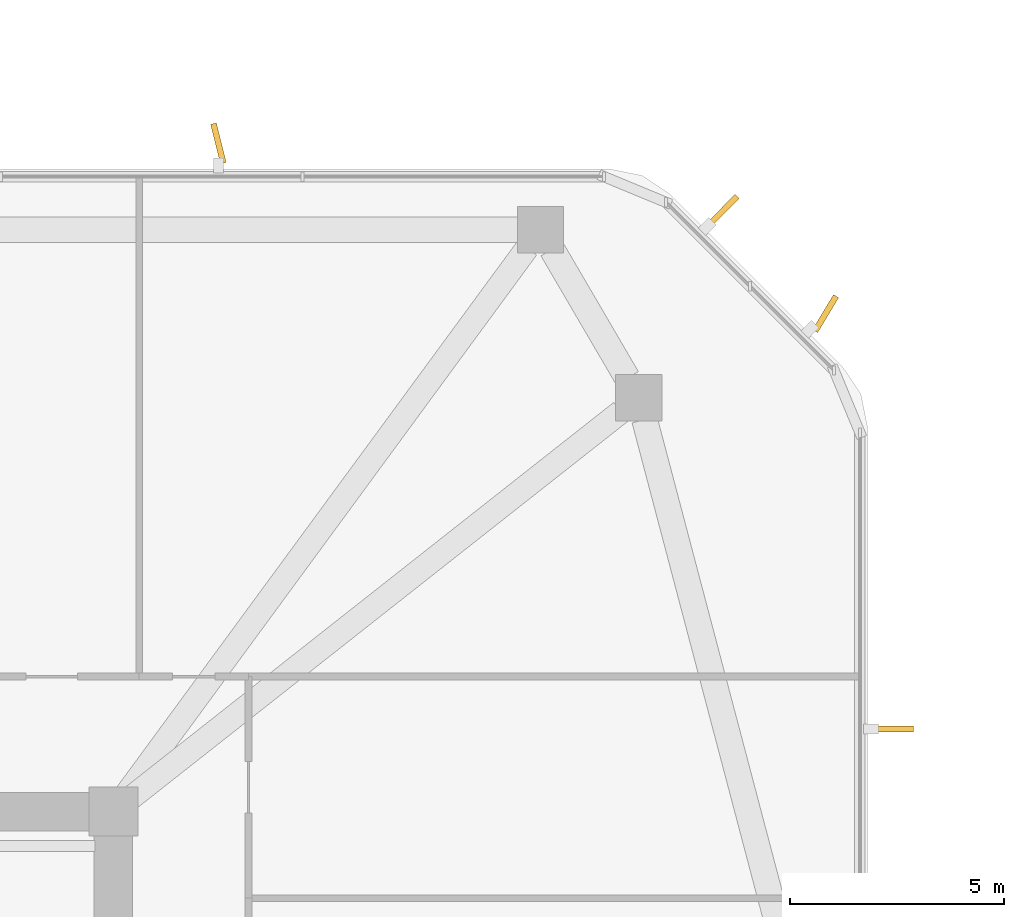
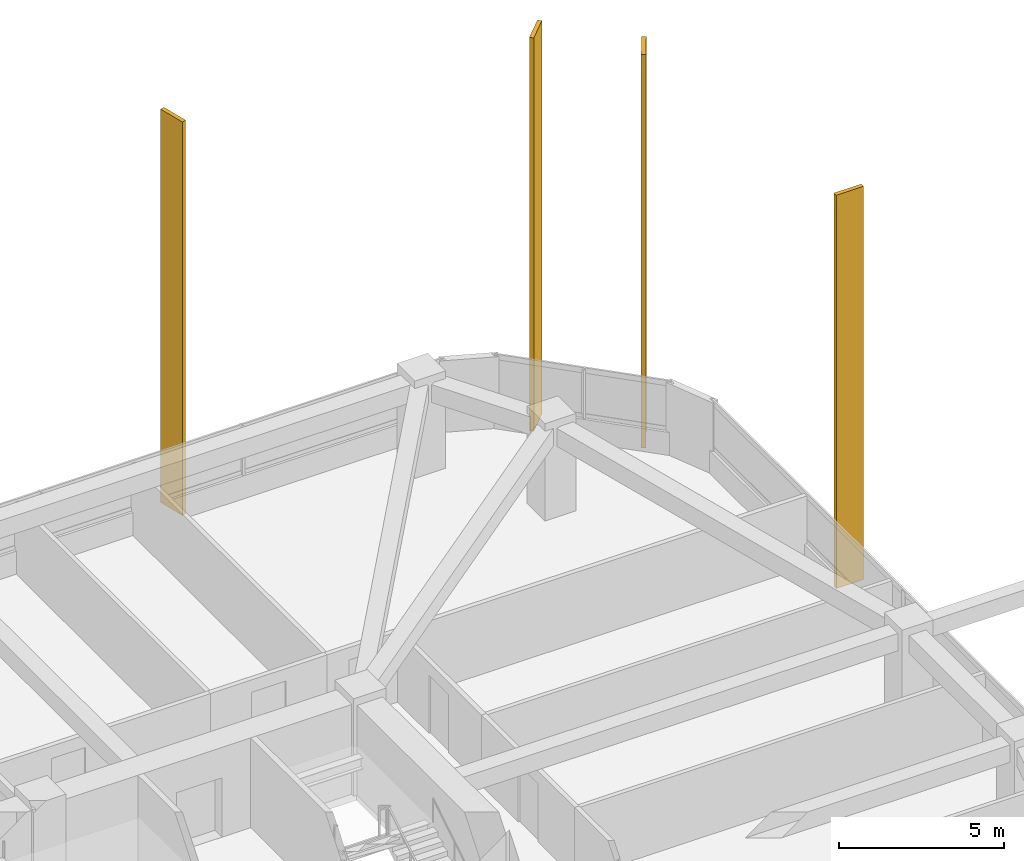
# One storey, part 17 of 17: 4 shading devices.
"""IFC4 building model written with IfcOpenShell, lengths in metres."""

from ifc_helpers import new_model, si_unit, derived_unit, direction, frame, origin, origin_2d, place, context, subcontext, project, spatial, rectangle, extrude, material, type_object, element, save


model = new_model("IFC4")

# Units and contexts
model_context = context("Model", 3, precision=1e-05, world=origin(), true_north=direction((0.0, 1.0)))
body_context = subcontext(model_context, "Body", "Model", "MODEL_VIEW")
ifc_project = project(units=[si_unit("LENGTHUNIT", "METRE"), si_unit("AREAUNIT", "SQUARE_METRE"), si_unit("VOLUMEUNIT", "CUBIC_METRE"), si_unit("PLANEANGLEUNIT", "RADIAN"), si_unit("MASSUNIT", "GRAM", prefix="KILO"), derived_unit("THERMALTRANSMITTANCEUNIT", [(si_unit("POWERUNIT", "WATT"), 1), (si_unit("LENGTHUNIT", "METRE"), -2), (si_unit("THERMODYNAMICTEMPERATUREUNIT", "KELVIN"), -1)])], contexts=[model_context])

# Site, building, storey
site_placement = place(None, origin())
site = spatial("IfcSite", under=ifc_project, at=site_placement, CompositionType="ELEMENT")
building_placement = place(site_placement, origin())
building = spatial("IfcBuilding", under=site, at=building_placement, Name="Koralith Skygarden Medical Center", CompositionType="ELEMENT")
storey_placement = place(building_placement, frame((0.0, 0.0, 23.93994140625)))
storey = spatial("IfcBuildingStorey", under=building, at=storey_placement, Name="L05", CompositionType="ELEMENT", Elevation=23.93994140625)

# Shading devices
ifc_material = material(Name="Aluminium 6063-T6", Category="aluminium")
shading_device_type = type_object("IfcShadingDeviceType", Name="Limestone-Clad Solar Storm Fin 950", PredefinedType="USERDEFINED", material=ifc_material)
for number, where, z_axis, x_axis, name in (
    (1, (66.39501953125, 36.429931640625, -0.2001953125), (0.0, 0.0, 1.0), (0.999999926283, 0.000383972426, 0.0), "L05 E Harmonic Solar Storm Fin 2"),
    (2, (64.820068359375, 46.1220703125, -0.2001953125), (0.0, 0.0, 1.0), (0.51503807491, 0.857167300702, 0.0), "L05 NE Harmonic Solar Storm Fin 1"),
    (3, (62.422119140625, 48.52001953125, -0.2001953125), (0.0, 0.0, 1.0), (0.706835219554, 0.707378238567, 0.0), "L05 NE Harmonic Solar Storm Fin 2"),
    (4, (50.64990234375, 50.094970703125, -0.2001953125), (0.0, 0.0, 1.0), (-0.2419218956, 0.970295726276, 0.0), "L05 N Harmonic Solar Storm Fin 1"),
):
    element("IfcShadingDevice", number, at=place(storey_placement, frame(where, z_axis=z_axis, x_axis=x_axis)), inside=storey, type_object=shading_device_type, Name=name, ObjectType="SOLAR FIN", PredefinedType="USERDEFINED", context=body_context, shape_type="SweptSolid", body=[
        extrude(rectangle(XDim=0.949951171875, YDim=0.139892578125, at=origin_2d()), origin(), (0.0, 0.0, 1.0), 14.550048828125),
    ])

save(model, "model.ifc")
